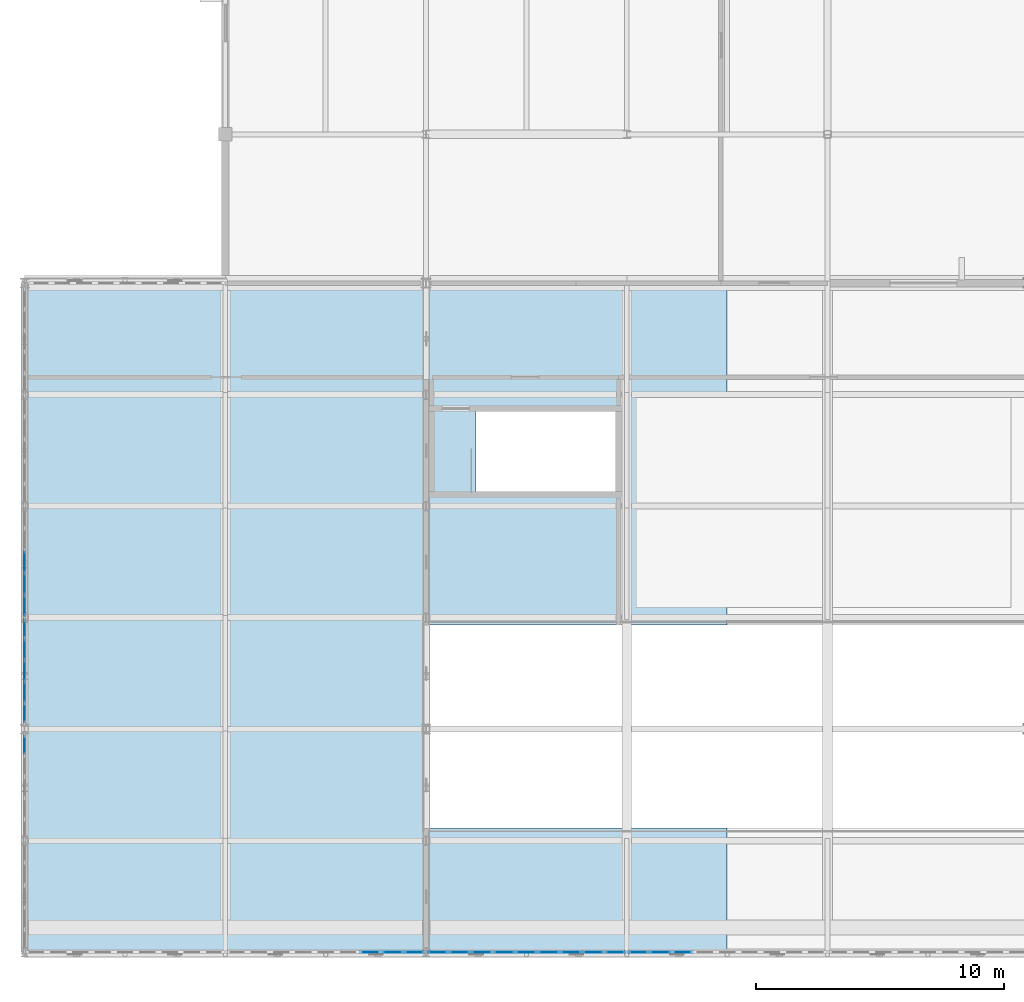
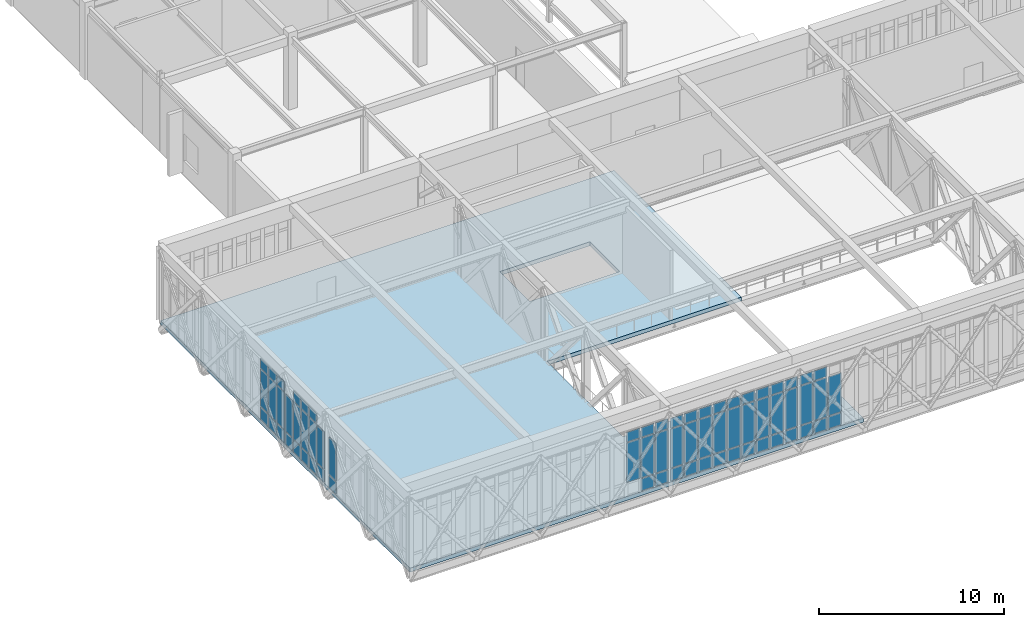
# One storey, part 41 of 70: 67 plates, 1 slab, 6 elements without a shape of their own.
"""IFC4 building model written with IfcOpenShell, lengths in metres."""

from ifc_helpers import new_model, si_unit, direction, frame, origin, origin_2d, place, context, subcontext, project, spatial, polyline, rectangle, outline, extrude, material, layer, layer_set, type_object, element, aggregate, save


model = new_model("IFC4")

# Units and contexts
model_context = context("Model", 3, precision=1e-05, world=origin(), true_north=direction((0.0, 1.0)))
body_context = subcontext(model_context, "Body", "Model", "MODEL_VIEW")
ifc_project = project(units=[si_unit("LENGTHUNIT", "METRE"), si_unit("AREAUNIT", "SQUARE_METRE"), si_unit("VOLUMEUNIT", "CUBIC_METRE"), si_unit("PLANEANGLEUNIT", "RADIAN"), si_unit("MASSUNIT", "GRAM", prefix="KILO")], contexts=[model_context])

# Site, building, storey
site_placement = place(None, origin())
site = spatial("IfcSite", under=ifc_project, at=site_placement, CompositionType="ELEMENT")
building_placement = place(site_placement, origin())
building = spatial("IfcBuilding", under=site, at=building_placement, Name="Tarnveldt Square Police Headquarters", CompositionType="ELEMENT")
storey_placement = place(building_placement, frame((0.0, 0.0, 19.800048828125)))
storey = spatial("IfcBuildingStorey", under=building, at=storey_placement, Name="L04", CompositionType="ELEMENT", Elevation=19.800048828125)

# Curtain wall, plates
ifc_material_1 = material(Name="UL 752 Level III laminated ballistic vision glass", Category="glass")
curtain_wall_type_1 = type_object("IfcCurtainWallType", Name="CW-BL-810x433", PredefinedType="USERDEFINED", material=ifc_material_1)
curtain_wall_1_placement = place(storey_placement, origin())
curtain_wall_1 = element("IfcCurtainWall", 1, at=curtain_wall_1_placement, inside=storey, type_object=curtain_wall_type_1, Name="L04 Curtain Wall CW-L04-041", ObjectType="BALLISTIC CURTAIN WALL", PredefinedType="USERDEFINED")
ifc_layer_1 = layer(ifc_material_1, 0.0380859375)
ifc_layer_set_1 = layer_set([ifc_layer_1], Name="UL 752 Level III laminated ballistic vision glass")
plate_type_1 = type_object("IfcPlateType", Name="CWP-BAL-38", PredefinedType="CURTAIN_PANEL", material=ifc_layer_set_1)
plate_1_placement = place(storey_placement, frame((22.050048828125, 7.0, 0.9375), z_axis=(0.0, 0.0, 1.0), x_axis=(1.0, 0.0, 0.0)))
plate_1 = element("IfcPlate", 2, at=plate_1_placement, type_object=plate_type_1, Name="CW-BL17 panel 7.2", PredefinedType="CURTAIN_PANEL", context=body_context, shape_type="SweptSolid", body=[
    extrude(rectangle(XDim=0.81494140625, YDim=0.0380859375, at=origin_2d()), origin(), (0.0, 0.0, 1.0), 2.6015625),
])
plate_2_placement = place(storey_placement, frame((22.050048828125, 7.0, 3.61376953125), z_axis=(0.0, 0.0, 1.0), x_axis=(1.0, 0.0, 0.0)))
plate_2 = element("IfcPlate", 3, at=plate_2_placement, type_object=plate_type_1, Name="CW-BL17 panel 7.3", PredefinedType="CURTAIN_PANEL", context=body_context, shape_type="SweptSolid", body=[
    extrude(rectangle(XDim=0.81494140625, YDim=0.0380859375, at=origin_2d()), origin(), (0.0, 0.0, 1.0), 0.637451171875),
])
plate_3_placement = place(storey_placement, frame((22.949951171875, 7.0, 0.074951171875), z_axis=(0.0, 0.0, 1.0), x_axis=(1.0, 0.0, 0.0)))
plate_3 = element("IfcPlate", 4, at=plate_3_placement, type_object=plate_type_1, Name="CW-BL17 panel 8.1", PredefinedType="CURTAIN_PANEL", context=body_context, shape_type="SweptSolid", body=[
    extrude(rectangle(XDim=0.81494140625, YDim=0.0380859375, at=origin_2d()), origin(), (0.0, 0.0, 1.0), 0.78759765625),
])
plate_4_placement = place(storey_placement, frame((22.949951171875, 7.0, 0.9375), z_axis=(0.0, 0.0, 1.0), x_axis=(1.0, 0.0, 0.0)))
plate_4 = element("IfcPlate", 5, at=plate_4_placement, type_object=plate_type_1, Name="CW-BL17 panel 8.2", PredefinedType="CURTAIN_PANEL", context=body_context, shape_type="SweptSolid", body=[
    extrude(rectangle(XDim=0.81494140625, YDim=0.0380859375, at=origin_2d()), origin(), (0.0, 0.0, 1.0), 2.6015625),
])
plate_5_placement = place(storey_placement, frame((22.949951171875, 7.0, 3.61376953125), z_axis=(0.0, 0.0, 1.0), x_axis=(1.0, 0.0, 0.0)))
plate_5 = element("IfcPlate", 6, at=plate_5_placement, type_object=plate_type_1, Name="CW-BL17 panel 8.3", PredefinedType="CURTAIN_PANEL", context=body_context, shape_type="SweptSolid", body=[
    extrude(rectangle(XDim=0.81494140625, YDim=0.0380859375, at=origin_2d()), origin(), (0.0, 0.0, 1.0), 0.637451171875),
])
plate_6_placement = place(storey_placement, frame((23.828857421875, 7.0, 0.074951171875), z_axis=(0.0, 0.0, 1.0), x_axis=(1.0, 0.0, 0.0)))
plate_6 = element("IfcPlate", 7, at=plate_6_placement, type_object=plate_type_1, Name="CW-BL17 panel 9.1", PredefinedType="CURTAIN_PANEL", context=body_context, shape_type="SweptSolid", body=[
    extrude(rectangle(XDim=0.7724609375, YDim=0.0380859375, at=origin_2d()), origin(), (0.0, 0.0, 1.0), 0.78759765625),
])
plate_7_placement = place(storey_placement, frame((23.828857421875, 7.0, 0.9375), z_axis=(0.0, 0.0, 1.0), x_axis=(1.0, 0.0, 0.0)))
plate_7 = element("IfcPlate", 8, at=plate_7_placement, type_object=plate_type_1, Name="CW-BL17 panel 9.2", PredefinedType="CURTAIN_PANEL", context=body_context, shape_type="SweptSolid", body=[
    extrude(rectangle(XDim=0.7724609375, YDim=0.0380859375, at=origin_2d()), origin(), (0.0, 0.0, 1.0), 2.6015625),
])
plate_8_placement = place(storey_placement, frame((23.828857421875, 7.0, 3.61376953125), z_axis=(0.0, 0.0, 1.0), x_axis=(1.0, 0.0, 0.0)))
plate_8 = element("IfcPlate", 9, at=plate_8_placement, type_object=plate_type_1, Name="CW-BL17 panel 9.3", PredefinedType="CURTAIN_PANEL", context=body_context, shape_type="SweptSolid", body=[
    extrude(rectangle(XDim=0.7724609375, YDim=0.0380859375, at=origin_2d()), origin(), (0.0, 0.0, 1.0), 0.637451171875),
])
aggregate(curtain_wall_1, [plate_1, plate_2, plate_3, plate_4, plate_5, plate_6, plate_7, plate_8])

curtain_wall_type_2 = type_object("IfcCurtainWallType", Name="CW-BL-810x429", PredefinedType="USERDEFINED", material=ifc_material_1)
curtain_wall_2_placement = place(storey_placement, origin())
curtain_wall_2 = element("IfcCurtainWall", 10, at=curtain_wall_2_placement, inside=storey, type_object=curtain_wall_type_2, Name="L04 Curtain Wall CW-L04-042", ObjectType="BALLISTIC CURTAIN WALL", PredefinedType="USERDEFINED")
plate_9_placement = place(storey_placement, frame((24.771240234375, 7.0, 0.074951171875), z_axis=(0.0, 0.0, 1.0), x_axis=(1.0, 0.0, 0.0)))
plate_9 = element("IfcPlate", 11, at=plate_9_placement, type_object=plate_type_1, Name="CW-BL18 panel 1.1", PredefinedType="CURTAIN_PANEL", context=body_context, shape_type="SweptSolid", body=[
    extrude(rectangle(XDim=0.7724609375, YDim=0.0380859375, at=origin_2d()), origin(), (0.0, 0.0, 1.0), 0.78759765625),
])
plate_10_placement = place(storey_placement, frame((24.771240234375, 7.0, 0.9375), z_axis=(0.0, 0.0, 1.0), x_axis=(1.0, 0.0, 0.0)))
plate_10 = element("IfcPlate", 12, at=plate_10_placement, type_object=plate_type_1, Name="CW-BL18 panel 1.2", PredefinedType="CURTAIN_PANEL", context=body_context, shape_type="SweptSolid", body=[
    extrude(rectangle(XDim=0.7724609375, YDim=0.0380859375, at=origin_2d()), origin(), (0.0, 0.0, 1.0), 2.5634765625),
])
plate_11_placement = place(storey_placement, frame((24.771240234375, 7.0, 3.576171875), z_axis=(0.0, 0.0, 1.0), x_axis=(1.0, 0.0, 0.0)))
plate_11 = element("IfcPlate", 13, at=plate_11_placement, type_object=plate_type_1, Name="CW-BL18 panel 1.3", PredefinedType="CURTAIN_PANEL", context=body_context, shape_type="SweptSolid", body=[
    extrude(rectangle(XDim=0.7724609375, YDim=0.0380859375, at=origin_2d()), origin(), (0.0, 0.0, 1.0), 0.637451171875),
])
plate_12_placement = place(storey_placement, frame((25.64990234375, 7.0, 0.074951171875), z_axis=(0.0, 0.0, 1.0), x_axis=(1.0, 0.0, 0.0)))
plate_12 = element("IfcPlate", 14, at=plate_12_placement, type_object=plate_type_1, Name="CW-BL18 panel 2.1", PredefinedType="CURTAIN_PANEL", context=body_context, shape_type="SweptSolid", body=[
    extrude(rectangle(XDim=0.81494140625, YDim=0.0380859375, at=origin_2d()), origin(), (0.0, 0.0, 1.0), 0.78759765625),
])
plate_13_placement = place(storey_placement, frame((25.64990234375, 7.0, 0.9375), z_axis=(0.0, 0.0, 1.0), x_axis=(1.0, 0.0, 0.0)))
plate_13 = element("IfcPlate", 15, at=plate_13_placement, type_object=plate_type_1, Name="CW-BL18 panel 2.2", PredefinedType="CURTAIN_PANEL", context=body_context, shape_type="SweptSolid", body=[
    extrude(rectangle(XDim=0.81494140625, YDim=0.0380859375, at=origin_2d()), origin(), (0.0, 0.0, 1.0), 2.5634765625),
])
plate_14_placement = place(storey_placement, frame((25.64990234375, 7.0, 3.576171875), z_axis=(0.0, 0.0, 1.0), x_axis=(1.0, 0.0, 0.0)))
plate_14 = element("IfcPlate", 16, at=plate_14_placement, type_object=plate_type_1, Name="CW-BL18 panel 2.3", PredefinedType="CURTAIN_PANEL", context=body_context, shape_type="SweptSolid", body=[
    extrude(rectangle(XDim=0.81494140625, YDim=0.0380859375, at=origin_2d()), origin(), (0.0, 0.0, 1.0), 0.637451171875),
])
plate_15_placement = place(storey_placement, frame((26.550048828125, 7.0, 0.074951171875), z_axis=(0.0, 0.0, 1.0), x_axis=(1.0, 0.0, 0.0)))
plate_15 = element("IfcPlate", 17, at=plate_15_placement, type_object=plate_type_1, Name="CW-BL18 panel 3.1", PredefinedType="CURTAIN_PANEL", context=body_context, shape_type="SweptSolid", body=[
    extrude(rectangle(XDim=0.81494140625, YDim=0.0380859375, at=origin_2d()), origin(), (0.0, 0.0, 1.0), 0.78759765625),
])
plate_16_placement = place(storey_placement, frame((26.550048828125, 7.0, 0.9375), z_axis=(0.0, 0.0, 1.0), x_axis=(1.0, 0.0, 0.0)))
plate_16 = element("IfcPlate", 18, at=plate_16_placement, type_object=plate_type_1, Name="CW-BL18 panel 3.2", PredefinedType="CURTAIN_PANEL", context=body_context, shape_type="SweptSolid", body=[
    extrude(rectangle(XDim=0.81494140625, YDim=0.0380859375, at=origin_2d()), origin(), (0.0, 0.0, 1.0), 2.5634765625),
])
plate_17_placement = place(storey_placement, frame((26.550048828125, 7.0, 3.576171875), z_axis=(0.0, 0.0, 1.0), x_axis=(1.0, 0.0, 0.0)))
plate_17 = element("IfcPlate", 19, at=plate_17_placement, type_object=plate_type_1, Name="CW-BL18 panel 3.3", PredefinedType="CURTAIN_PANEL", context=body_context, shape_type="SweptSolid", body=[
    extrude(rectangle(XDim=0.81494140625, YDim=0.0380859375, at=origin_2d()), origin(), (0.0, 0.0, 1.0), 0.637451171875),
])
plate_18_placement = place(storey_placement, frame((27.449951171875, 7.0, 0.074951171875), z_axis=(0.0, 0.0, 1.0), x_axis=(1.0, 0.0, 0.0)))
plate_18 = element("IfcPlate", 20, at=plate_18_placement, type_object=plate_type_1, Name="CW-BL18 panel 4.1", PredefinedType="CURTAIN_PANEL", context=body_context, shape_type="SweptSolid", body=[
    extrude(rectangle(XDim=0.81494140625, YDim=0.0380859375, at=origin_2d()), origin(), (0.0, 0.0, 1.0), 0.78759765625),
])
plate_19_placement = place(storey_placement, frame((27.449951171875, 7.0, 0.9375), z_axis=(0.0, 0.0, 1.0), x_axis=(1.0, 0.0, 0.0)))
plate_19 = element("IfcPlate", 21, at=plate_19_placement, type_object=plate_type_1, Name="CW-BL18 panel 4.2", PredefinedType="CURTAIN_PANEL", context=body_context, shape_type="SweptSolid", body=[
    extrude(rectangle(XDim=0.81494140625, YDim=0.0380859375, at=origin_2d()), origin(), (0.0, 0.0, 1.0), 2.5634765625),
])
plate_20_placement = place(storey_placement, frame((27.449951171875, 7.0, 3.576171875), z_axis=(0.0, 0.0, 1.0), x_axis=(1.0, 0.0, 0.0)))
plate_20 = element("IfcPlate", 22, at=plate_20_placement, type_object=plate_type_1, Name="CW-BL18 panel 4.3", PredefinedType="CURTAIN_PANEL", context=body_context, shape_type="SweptSolid", body=[
    extrude(rectangle(XDim=0.81494140625, YDim=0.0380859375, at=origin_2d()), origin(), (0.0, 0.0, 1.0), 0.637451171875),
])
plate_21_placement = place(storey_placement, frame((28.35009765625, 7.0, 0.074951171875), z_axis=(0.0, 0.0, 1.0), x_axis=(1.0, 0.0, 0.0)))
plate_21 = element("IfcPlate", 23, at=plate_21_placement, type_object=plate_type_1, Name="CW-BL18 panel 5.1", PredefinedType="CURTAIN_PANEL", context=body_context, shape_type="SweptSolid", body=[
    extrude(rectangle(XDim=0.81494140625, YDim=0.0380859375, at=origin_2d()), origin(), (0.0, 0.0, 1.0), 0.78759765625),
])
plate_22_placement = place(storey_placement, frame((28.35009765625, 7.0, 0.9375), z_axis=(0.0, 0.0, 1.0), x_axis=(1.0, 0.0, 0.0)))
plate_22 = element("IfcPlate", 24, at=plate_22_placement, type_object=plate_type_1, Name="CW-BL18 panel 5.2", PredefinedType="CURTAIN_PANEL", context=body_context, shape_type="SweptSolid", body=[
    extrude(rectangle(XDim=0.81494140625, YDim=0.0380859375, at=origin_2d()), origin(), (0.0, 0.0, 1.0), 2.5634765625),
])
plate_23_placement = place(storey_placement, frame((28.35009765625, 7.0, 3.576171875), z_axis=(0.0, 0.0, 1.0), x_axis=(1.0, 0.0, 0.0)))
plate_23 = element("IfcPlate", 25, at=plate_23_placement, type_object=plate_type_1, Name="CW-BL18 panel 5.3", PredefinedType="CURTAIN_PANEL", context=body_context, shape_type="SweptSolid", body=[
    extrude(rectangle(XDim=0.81494140625, YDim=0.0380859375, at=origin_2d()), origin(), (0.0, 0.0, 1.0), 0.637451171875),
])
plate_24_placement = place(storey_placement, frame((29.25, 7.0, 0.074951171875), z_axis=(0.0, 0.0, 1.0), x_axis=(1.0, 0.0, 0.0)))
plate_24 = element("IfcPlate", 26, at=plate_24_placement, type_object=plate_type_1, Name="CW-BL18 panel 6.1", PredefinedType="CURTAIN_PANEL", context=body_context, shape_type="SweptSolid", body=[
    extrude(rectangle(XDim=0.81494140625, YDim=0.0380859375, at=origin_2d()), origin(), (0.0, 0.0, 1.0), 0.78759765625),
])
plate_25_placement = place(storey_placement, frame((29.25, 7.0, 0.9375), z_axis=(0.0, 0.0, 1.0), x_axis=(1.0, 0.0, 0.0)))
plate_25 = element("IfcPlate", 27, at=plate_25_placement, type_object=plate_type_1, Name="CW-BL18 panel 6.2", PredefinedType="CURTAIN_PANEL", context=body_context, shape_type="SweptSolid", body=[
    extrude(rectangle(XDim=0.81494140625, YDim=0.0380859375, at=origin_2d()), origin(), (0.0, 0.0, 1.0), 2.5634765625),
])
plate_26_placement = place(storey_placement, frame((29.25, 7.0, 3.576171875), z_axis=(0.0, 0.0, 1.0), x_axis=(1.0, 0.0, 0.0)))
plate_26 = element("IfcPlate", 28, at=plate_26_placement, type_object=plate_type_1, Name="CW-BL18 panel 6.3", PredefinedType="CURTAIN_PANEL", context=body_context, shape_type="SweptSolid", body=[
    extrude(rectangle(XDim=0.81494140625, YDim=0.0380859375, at=origin_2d()), origin(), (0.0, 0.0, 1.0), 0.637451171875),
])
plate_27_placement = place(storey_placement, frame((30.14990234375, 7.0, 0.074951171875), z_axis=(0.0, 0.0, 1.0), x_axis=(1.0, 0.0, 0.0)))
plate_27 = element("IfcPlate", 29, at=plate_27_placement, type_object=plate_type_1, Name="CW-BL18 panel 7.1", PredefinedType="CURTAIN_PANEL", context=body_context, shape_type="SweptSolid", body=[
    extrude(rectangle(XDim=0.81494140625, YDim=0.0380859375, at=origin_2d()), origin(), (0.0, 0.0, 1.0), 0.78759765625),
])
plate_28_placement = place(storey_placement, frame((30.14990234375, 7.0, 0.9375), z_axis=(0.0, 0.0, 1.0), x_axis=(1.0, 0.0, 0.0)))
plate_28 = element("IfcPlate", 30, at=plate_28_placement, type_object=plate_type_1, Name="CW-BL18 panel 7.2", PredefinedType="CURTAIN_PANEL", context=body_context, shape_type="SweptSolid", body=[
    extrude(rectangle(XDim=0.81494140625, YDim=0.0380859375, at=origin_2d()), origin(), (0.0, 0.0, 1.0), 2.5634765625),
])
plate_29_placement = place(storey_placement, frame((30.14990234375, 7.0, 3.576171875), z_axis=(0.0, 0.0, 1.0), x_axis=(1.0, 0.0, 0.0)))
plate_29 = element("IfcPlate", 31, at=plate_29_placement, type_object=plate_type_1, Name="CW-BL18 panel 7.3", PredefinedType="CURTAIN_PANEL", context=body_context, shape_type="SweptSolid", body=[
    extrude(rectangle(XDim=0.81494140625, YDim=0.0380859375, at=origin_2d()), origin(), (0.0, 0.0, 1.0), 0.637451171875),
])
plate_30_placement = place(storey_placement, frame((31.050048828125, 7.0, 0.074951171875), z_axis=(0.0, 0.0, 1.0), x_axis=(1.0, 0.0, 0.0)))
plate_30 = element("IfcPlate", 32, at=plate_30_placement, type_object=plate_type_1, Name="CW-BL18 panel 8.1", PredefinedType="CURTAIN_PANEL", context=body_context, shape_type="SweptSolid", body=[
    extrude(rectangle(XDim=0.81494140625, YDim=0.0380859375, at=origin_2d()), origin(), (0.0, 0.0, 1.0), 0.78759765625),
])
plate_31_placement = place(storey_placement, frame((31.050048828125, 7.0, 0.9375), z_axis=(0.0, 0.0, 1.0), x_axis=(1.0, 0.0, 0.0)))
plate_31 = element("IfcPlate", 33, at=plate_31_placement, type_object=plate_type_1, Name="CW-BL18 panel 8.2", PredefinedType="CURTAIN_PANEL", context=body_context, shape_type="SweptSolid", body=[
    extrude(rectangle(XDim=0.81494140625, YDim=0.0380859375, at=origin_2d()), origin(), (0.0, 0.0, 1.0), 2.5634765625),
])
plate_32_placement = place(storey_placement, frame((31.050048828125, 7.0, 3.576171875), z_axis=(0.0, 0.0, 1.0), x_axis=(1.0, 0.0, 0.0)))
plate_32 = element("IfcPlate", 34, at=plate_32_placement, type_object=plate_type_1, Name="CW-BL18 panel 8.3", PredefinedType="CURTAIN_PANEL", context=body_context, shape_type="SweptSolid", body=[
    extrude(rectangle(XDim=0.81494140625, YDim=0.0380859375, at=origin_2d()), origin(), (0.0, 0.0, 1.0), 0.637451171875),
])
plate_33_placement = place(storey_placement, frame((31.9287109375, 7.0, 0.074951171875), z_axis=(0.0, 0.0, 1.0), x_axis=(1.0, 0.0, 0.0)))
plate_33 = element("IfcPlate", 35, at=plate_33_placement, type_object=plate_type_1, Name="CW-BL18 panel 9.1", PredefinedType="CURTAIN_PANEL", context=body_context, shape_type="SweptSolid", body=[
    extrude(rectangle(XDim=0.7724609375, YDim=0.0380859375, at=origin_2d()), origin(), (0.0, 0.0, 1.0), 0.78759765625),
])
plate_34_placement = place(storey_placement, frame((31.9287109375, 7.0, 0.9375), z_axis=(0.0, 0.0, 1.0), x_axis=(1.0, 0.0, 0.0)))
plate_34 = element("IfcPlate", 36, at=plate_34_placement, type_object=plate_type_1, Name="CW-BL18 panel 9.2", PredefinedType="CURTAIN_PANEL", context=body_context, shape_type="SweptSolid", body=[
    extrude(rectangle(XDim=0.7724609375, YDim=0.0380859375, at=origin_2d()), origin(), (0.0, 0.0, 1.0), 2.5634765625),
])
plate_35_placement = place(storey_placement, frame((31.9287109375, 7.0, 3.576171875), z_axis=(0.0, 0.0, 1.0), x_axis=(1.0, 0.0, 0.0)))
plate_35 = element("IfcPlate", 37, at=plate_35_placement, type_object=plate_type_1, Name="CW-BL18 panel 9.3", PredefinedType="CURTAIN_PANEL", context=body_context, shape_type="SweptSolid", body=[
    extrude(rectangle(XDim=0.7724609375, YDim=0.0380859375, at=origin_2d()), origin(), (0.0, 0.0, 1.0), 0.637451171875),
])
aggregate(curtain_wall_2, [plate_9, plate_10, plate_11, plate_12, plate_13, plate_14, plate_15, plate_16, plate_17, plate_18, plate_19, plate_20, plate_21, plate_22, plate_23, plate_24, plate_25, plate_26, plate_27, plate_28, plate_29, plate_30, plate_31, plate_32, plate_33, plate_34, plate_35])

curtain_wall_3_placement = place(storey_placement, origin())
curtain_wall_3 = element("IfcCurtainWall", 38, at=curtain_wall_3_placement, inside=storey, type_object=curtain_wall_type_2, Name="L04 Curtain Wall CW-L04-043", ObjectType="BALLISTIC CURTAIN WALL", PredefinedType="USERDEFINED")
plate_36_placement = place(storey_placement, frame((32.871337890625, 7.0, 0.074951171875), z_axis=(0.0, 0.0, 1.0), x_axis=(1.0, 0.0, 0.0)))
plate_36 = element("IfcPlate", 39, at=plate_36_placement, type_object=plate_type_1, Name="CW-BL18 panel 1.1", PredefinedType="CURTAIN_PANEL", context=body_context, shape_type="SweptSolid", body=[
    extrude(rectangle(XDim=0.7724609375, YDim=0.0380859375, at=origin_2d()), origin(), (0.0, 0.0, 1.0), 0.78759765625),
])
plate_37_placement = place(storey_placement, frame((32.871337890625, 7.0, 0.9375), z_axis=(0.0, 0.0, 1.0), x_axis=(1.0, 0.0, 0.0)))
plate_37 = element("IfcPlate", 40, at=plate_37_placement, type_object=plate_type_1, Name="CW-BL18 panel 1.2", PredefinedType="CURTAIN_PANEL", context=body_context, shape_type="SweptSolid", body=[
    extrude(rectangle(XDim=0.7724609375, YDim=0.0380859375, at=origin_2d()), origin(), (0.0, 0.0, 1.0), 2.5634765625),
])
plate_38_placement = place(storey_placement, frame((32.871337890625, 7.0, 3.576171875), z_axis=(0.0, 0.0, 1.0), x_axis=(1.0, 0.0, 0.0)))
plate_38 = element("IfcPlate", 41, at=plate_38_placement, type_object=plate_type_1, Name="CW-BL18 panel 1.3", PredefinedType="CURTAIN_PANEL", context=body_context, shape_type="SweptSolid", body=[
    extrude(rectangle(XDim=0.7724609375, YDim=0.0380859375, at=origin_2d()), origin(), (0.0, 0.0, 1.0), 0.637451171875),
])
plate_39_placement = place(storey_placement, frame((33.75, 7.0, 0.074951171875), z_axis=(0.0, 0.0, 1.0), x_axis=(1.0, 0.0, 0.0)))
plate_39 = element("IfcPlate", 42, at=plate_39_placement, type_object=plate_type_1, Name="CW-BL18 panel 2.1", PredefinedType="CURTAIN_PANEL", context=body_context, shape_type="SweptSolid", body=[
    extrude(rectangle(XDim=0.81494140625, YDim=0.0380859375, at=origin_2d()), origin(), (0.0, 0.0, 1.0), 0.78759765625),
])
plate_40_placement = place(storey_placement, frame((33.75, 7.0, 0.9375), z_axis=(0.0, 0.0, 1.0), x_axis=(1.0, 0.0, 0.0)))
plate_40 = element("IfcPlate", 43, at=plate_40_placement, type_object=plate_type_1, Name="CW-BL18 panel 2.2", PredefinedType="CURTAIN_PANEL", context=body_context, shape_type="SweptSolid", body=[
    extrude(rectangle(XDim=0.81494140625, YDim=0.0380859375, at=origin_2d()), origin(), (0.0, 0.0, 1.0), 2.5634765625),
])
plate_41_placement = place(storey_placement, frame((33.75, 7.0, 3.576171875), z_axis=(0.0, 0.0, 1.0), x_axis=(1.0, 0.0, 0.0)))
plate_41 = element("IfcPlate", 44, at=plate_41_placement, type_object=plate_type_1, Name="CW-BL18 panel 2.3", PredefinedType="CURTAIN_PANEL", context=body_context, shape_type="SweptSolid", body=[
    extrude(rectangle(XDim=0.81494140625, YDim=0.0380859375, at=origin_2d()), origin(), (0.0, 0.0, 1.0), 0.637451171875),
])
plate_42_placement = place(storey_placement, frame((34.64990234375, 7.0, 0.074951171875), z_axis=(0.0, 0.0, 1.0), x_axis=(1.0, 0.0, 0.0)))
plate_42 = element("IfcPlate", 45, at=plate_42_placement, type_object=plate_type_1, Name="CW-BL18 panel 3.1", PredefinedType="CURTAIN_PANEL", context=body_context, shape_type="SweptSolid", body=[
    extrude(rectangle(XDim=0.81494140625, YDim=0.0380859375, at=origin_2d()), origin(), (0.0, 0.0, 1.0), 0.78759765625),
])
plate_43_placement = place(storey_placement, frame((34.64990234375, 7.0, 0.9375), z_axis=(0.0, 0.0, 1.0), x_axis=(1.0, 0.0, 0.0)))
plate_43 = element("IfcPlate", 46, at=plate_43_placement, type_object=plate_type_1, Name="CW-BL18 panel 3.2", PredefinedType="CURTAIN_PANEL", context=body_context, shape_type="SweptSolid", body=[
    extrude(rectangle(XDim=0.81494140625, YDim=0.0380859375, at=origin_2d()), origin(), (0.0, 0.0, 1.0), 2.5634765625),
])
aggregate(curtain_wall_3, [plate_36, plate_37, plate_38, plate_39, plate_40, plate_41, plate_42, plate_43])

ifc_material_2 = material(Name="Triple-glazed low-e laminated vision glass", Category="glass")
curtain_wall_type_3 = type_object("IfcCurtainWallType", Name="CW-LT-430x417", PredefinedType="USERDEFINED", material=ifc_material_2)
curtain_wall_4_placement = place(storey_placement, origin())
curtain_wall_4 = element("IfcCurtainWall", 47, at=curtain_wall_4_placement, inside=storey, type_object=curtain_wall_type_3, Name="L04 Curtain Wall CW-L04-051", ObjectType="GLAZED CURTAIN WALL", PredefinedType="USERDEFINED")
ifc_layer_2 = layer(ifc_material_2, 0.028076171875)
ifc_layer_set_2 = layer_set([ifc_layer_2], Name="Triple-glazed low-e laminated vision glass")
plate_type_2 = type_object("IfcPlateType", Name="CWP-VIS-28", PredefinedType="CURTAIN_PANEL", material=ifc_layer_set_2)
plate_44_placement = place(storey_placement, frame((8.10009765625, 15.349365234375, 0.074951171875), z_axis=(0.0, 0.0, 1.0), x_axis=(0.0, 1.0, 0.0)))
plate_44 = element("IfcPlate", 48, at=plate_44_placement, type_object=plate_type_2, Name="CW-LT21 panel 5.1", PredefinedType="CURTAIN_PANEL", context=body_context, shape_type="SweptSolid", body=[
    extrude(rectangle(XDim=0.7470703125, YDim=0.028076171875, at=origin_2d()), origin(), (0.0, 0.0, 1.0), 0.78759765625),
])
plate_45_placement = place(storey_placement, frame((8.10009765625, 15.349365234375, 0.9375), z_axis=(0.0, 0.0, 1.0), x_axis=(0.0, 1.0, 0.0)))
plate_45 = element("IfcPlate", 49, at=plate_45_placement, type_object=plate_type_2, Name="CW-LT21 panel 5.2", PredefinedType="CURTAIN_PANEL", context=body_context, shape_type="SweptSolid", body=[
    extrude(rectangle(XDim=0.7470703125, YDim=0.028076171875, at=origin_2d()), origin(), (0.0, 0.0, 1.0), 2.447998046875),
])
aggregate(curtain_wall_4, [plate_44, plate_45])

curtain_wall_5_placement = place(storey_placement, origin())
curtain_wall_5 = element("IfcCurtainWall", 50, at=curtain_wall_5_placement, inside=storey, type_object=curtain_wall_type_3, Name="L04 Curtain Wall CW-L04-052", ObjectType="GLAZED CURTAIN WALL", PredefinedType="USERDEFINED")
plate_46_placement = place(storey_placement, frame((8.10009765625, 16.650634765625, 0.074951171875), z_axis=(0.0, 0.0, 1.0), x_axis=(0.0, 1.0, 0.0)))
plate_46 = element("IfcPlate", 51, at=plate_46_placement, type_object=plate_type_2, Name="CW-LT21 panel 1.1", PredefinedType="CURTAIN_PANEL", context=body_context, shape_type="SweptSolid", body=[
    extrude(rectangle(XDim=0.7470703125, YDim=0.028076171875, at=origin_2d()), origin(), (0.0, 0.0, 1.0), 0.78759765625),
])
plate_47_placement = place(storey_placement, frame((8.10009765625, 16.650634765625, 0.9375), z_axis=(0.0, 0.0, 1.0), x_axis=(0.0, 1.0, 0.0)))
plate_47 = element("IfcPlate", 52, at=plate_47_placement, type_object=plate_type_2, Name="CW-LT21 panel 1.2", PredefinedType="CURTAIN_PANEL", context=body_context, shape_type="SweptSolid", body=[
    extrude(rectangle(XDim=0.7470703125, YDim=0.028076171875, at=origin_2d()), origin(), (0.0, 0.0, 1.0), 2.447998046875),
])
plate_48_placement = place(storey_placement, frame((8.10009765625, 17.491455078125, 0.074951171875), z_axis=(0.0, 0.0, 1.0), x_axis=(0.0, 1.0, 0.0)))
plate_48 = element("IfcPlate", 53, at=plate_48_placement, type_object=plate_type_2, Name="CW-LT21 panel 2.1", PredefinedType="CURTAIN_PANEL", context=body_context, shape_type="SweptSolid", body=[
    extrude(rectangle(XDim=0.78466796875, YDim=0.028076171875, at=origin_2d()), origin(), (0.0, 0.0, 1.0), 0.78759765625),
])
plate_49_placement = place(storey_placement, frame((8.10009765625, 17.491455078125, 0.9375), z_axis=(0.0, 0.0, 1.0), x_axis=(0.0, 1.0, 0.0)))
plate_49 = element("IfcPlate", 54, at=plate_49_placement, type_object=plate_type_2, Name="CW-LT21 panel 2.2", PredefinedType="CURTAIN_PANEL", context=body_context, shape_type="SweptSolid", body=[
    extrude(rectangle(XDim=0.78466796875, YDim=0.028076171875, at=origin_2d()), origin(), (0.0, 0.0, 1.0), 2.447998046875),
])
plate_50_placement = place(storey_placement, frame((8.10009765625, 17.491455078125, 3.46044921875), z_axis=(0.0, 0.0, 1.0), x_axis=(0.0, 1.0, 0.0)))
plate_50 = element("IfcPlate", 55, at=plate_50_placement, type_object=plate_type_2, Name="CW-LT21 panel 2.3", PredefinedType="CURTAIN_PANEL", context=body_context, shape_type="SweptSolid", body=[
    extrude(rectangle(XDim=0.78466796875, YDim=0.028076171875, at=origin_2d()), origin(), (0.0, 0.0, 1.0), 0.637451171875),
])
plate_51_placement = place(storey_placement, frame((8.10009765625, 18.35107421875, 0.074951171875), z_axis=(0.0, 0.0, 1.0), x_axis=(0.0, 1.0, 0.0)))
plate_51 = element("IfcPlate", 56, at=plate_51_placement, type_object=plate_type_2, Name="CW-LT21 panel 3.1", PredefinedType="CURTAIN_PANEL", context=body_context, shape_type="SweptSolid", body=[
    extrude(rectangle(XDim=0.78466796875, YDim=0.028076171875, at=origin_2d()), origin(), (0.0, 0.0, 1.0), 0.78759765625),
])
plate_52_placement = place(storey_placement, frame((8.10009765625, 18.35107421875, 0.9375), z_axis=(0.0, 0.0, 1.0), x_axis=(0.0, 1.0, 0.0)))
plate_52 = element("IfcPlate", 57, at=plate_52_placement, type_object=plate_type_2, Name="CW-LT21 panel 3.2", PredefinedType="CURTAIN_PANEL", context=body_context, shape_type="SweptSolid", body=[
    extrude(rectangle(XDim=0.78466796875, YDim=0.028076171875, at=origin_2d()), origin(), (0.0, 0.0, 1.0), 2.447998046875),
])
plate_53_placement = place(storey_placement, frame((8.10009765625, 18.35107421875, 3.46044921875), z_axis=(0.0, 0.0, 1.0), x_axis=(0.0, 1.0, 0.0)))
plate_53 = element("IfcPlate", 58, at=plate_53_placement, type_object=plate_type_2, Name="CW-LT21 panel 3.3", PredefinedType="CURTAIN_PANEL", context=body_context, shape_type="SweptSolid", body=[
    extrude(rectangle(XDim=0.78466796875, YDim=0.028076171875, at=origin_2d()), origin(), (0.0, 0.0, 1.0), 0.637451171875),
])
plate_54_placement = place(storey_placement, frame((8.10009765625, 19.210693359375, 0.074951171875), z_axis=(0.0, 0.0, 1.0), x_axis=(0.0, 1.0, 0.0)))
plate_54 = element("IfcPlate", 59, at=plate_54_placement, type_object=plate_type_2, Name="CW-LT21 panel 4.1", PredefinedType="CURTAIN_PANEL", context=body_context, shape_type="SweptSolid", body=[
    extrude(rectangle(XDim=0.78466796875, YDim=0.028076171875, at=origin_2d()), origin(), (0.0, 0.0, 1.0), 0.78759765625),
])
plate_55_placement = place(storey_placement, frame((8.10009765625, 19.210693359375, 0.9375), z_axis=(0.0, 0.0, 1.0), x_axis=(0.0, 1.0, 0.0)))
plate_55 = element("IfcPlate", 60, at=plate_55_placement, type_object=plate_type_2, Name="CW-LT21 panel 4.2", PredefinedType="CURTAIN_PANEL", context=body_context, shape_type="SweptSolid", body=[
    extrude(rectangle(XDim=0.78466796875, YDim=0.028076171875, at=origin_2d()), origin(), (0.0, 0.0, 1.0), 2.447998046875),
])
plate_56_placement = place(storey_placement, frame((8.10009765625, 19.210693359375, 3.46044921875), z_axis=(0.0, 0.0, 1.0), x_axis=(0.0, 1.0, 0.0)))
plate_56 = element("IfcPlate", 61, at=plate_56_placement, type_object=plate_type_2, Name="CW-LT21 panel 4.3", PredefinedType="CURTAIN_PANEL", context=body_context, shape_type="SweptSolid", body=[
    extrude(rectangle(XDim=0.78466796875, YDim=0.028076171875, at=origin_2d()), origin(), (0.0, 0.0, 1.0), 0.637451171875),
])
plate_57_placement = place(storey_placement, frame((8.10009765625, 20.051513671875, 0.074951171875), z_axis=(0.0, 0.0, 1.0), x_axis=(0.0, 1.0, 0.0)))
plate_57 = element("IfcPlate", 62, at=plate_57_placement, type_object=plate_type_2, Name="CW-LT21 panel 5.1", PredefinedType="CURTAIN_PANEL", context=body_context, shape_type="SweptSolid", body=[
    extrude(rectangle(XDim=0.7470703125, YDim=0.028076171875, at=origin_2d()), origin(), (0.0, 0.0, 1.0), 0.78759765625),
])
plate_58_placement = place(storey_placement, frame((8.10009765625, 20.051513671875, 0.9375), z_axis=(0.0, 0.0, 1.0), x_axis=(0.0, 1.0, 0.0)))
plate_58 = element("IfcPlate", 63, at=plate_58_placement, type_object=plate_type_2, Name="CW-LT21 panel 5.2", PredefinedType="CURTAIN_PANEL", context=body_context, shape_type="SweptSolid", body=[
    extrude(rectangle(XDim=0.7470703125, YDim=0.028076171875, at=origin_2d()), origin(), (0.0, 0.0, 1.0), 2.447998046875),
])
aggregate(curtain_wall_5, [plate_46, plate_47, plate_48, plate_49, plate_50, plate_51, plate_52, plate_53, plate_54, plate_55, plate_56, plate_57, plate_58])

curtain_wall_type_4 = type_object("IfcCurtainWallType", Name="CW-LT-450x417", PredefinedType="USERDEFINED", material=ifc_material_2)
curtain_wall_6_placement = place(storey_placement, origin())
curtain_wall_6 = element("IfcCurtainWall", 64, at=curtain_wall_6_placement, inside=storey, type_object=curtain_wall_type_4, Name="L04 Curtain Wall CW-L04-053", ObjectType="GLAZED CURTAIN WALL", PredefinedType="USERDEFINED")
plate_59_placement = place(storey_placement, frame((8.10009765625, 20.96875, 0.074951171875), z_axis=(0.0, 0.0, 1.0), x_axis=(0.0, 1.0, 0.0)))
plate_59 = element("IfcPlate", 65, at=plate_59_placement, type_object=plate_type_2, Name="CW-LT22 panel 1.1", PredefinedType="CURTAIN_PANEL", context=body_context, shape_type="SweptSolid", body=[
    extrude(rectangle(XDim=0.78759765625, YDim=0.028076171875, at=origin_2d()), origin(), (0.0, 0.0, 1.0), 0.78759765625),
])
plate_60_placement = place(storey_placement, frame((8.10009765625, 20.96875, 0.9375), z_axis=(0.0, 0.0, 1.0), x_axis=(0.0, 1.0, 0.0)))
plate_60 = element("IfcPlate", 66, at=plate_60_placement, type_object=plate_type_2, Name="CW-LT22 panel 1.2", PredefinedType="CURTAIN_PANEL", context=body_context, shape_type="SweptSolid", body=[
    extrude(rectangle(XDim=0.78759765625, YDim=0.028076171875, at=origin_2d()), origin(), (0.0, 0.0, 1.0), 2.447998046875),
])
plate_61_placement = place(storey_placement, frame((8.10009765625, 20.96875, 3.46044921875), z_axis=(0.0, 0.0, 1.0), x_axis=(0.0, 1.0, 0.0)))
plate_61 = element("IfcPlate", 67, at=plate_61_placement, type_object=plate_type_2, Name="CW-LT22 panel 1.3", PredefinedType="CURTAIN_PANEL", context=body_context, shape_type="SweptSolid", body=[
    extrude(rectangle(XDim=0.78759765625, YDim=0.028076171875, at=origin_2d()), origin(), (0.0, 0.0, 1.0), 0.637451171875),
])
plate_62_placement = place(storey_placement, frame((8.10009765625, 21.85009765625, 0.074951171875), z_axis=(0.0, 0.0, 1.0), x_axis=(0.0, 1.0, 0.0)))
plate_62 = element("IfcPlate", 68, at=plate_62_placement, type_object=plate_type_2, Name="CW-LT22 panel 2.1", PredefinedType="CURTAIN_PANEL", context=body_context, shape_type="SweptSolid", body=[
    extrude(rectangle(XDim=0.824951171875, YDim=0.028076171875, at=origin_2d()), origin(), (0.0, 0.0, 1.0), 0.78759765625),
])
plate_63_placement = place(storey_placement, frame((8.10009765625, 21.85009765625, 0.9375), z_axis=(0.0, 0.0, 1.0), x_axis=(0.0, 1.0, 0.0)))
plate_63 = element("IfcPlate", 69, at=plate_63_placement, type_object=plate_type_2, Name="CW-LT22 panel 2.2", PredefinedType="CURTAIN_PANEL", context=body_context, shape_type="SweptSolid", body=[
    extrude(rectangle(XDim=0.824951171875, YDim=0.028076171875, at=origin_2d()), origin(), (0.0, 0.0, 1.0), 2.447998046875),
])
plate_64_placement = place(storey_placement, frame((8.10009765625, 21.85009765625, 3.46044921875), z_axis=(0.0, 0.0, 1.0), x_axis=(0.0, 1.0, 0.0)))
plate_64 = element("IfcPlate", 70, at=plate_64_placement, type_object=plate_type_2, Name="CW-LT22 panel 2.3", PredefinedType="CURTAIN_PANEL", context=body_context, shape_type="SweptSolid", body=[
    extrude(rectangle(XDim=0.824951171875, YDim=0.028076171875, at=origin_2d()), origin(), (0.0, 0.0, 1.0), 0.637451171875),
])
plate_65_placement = place(storey_placement, frame((8.10009765625, 22.75, 0.074951171875), z_axis=(0.0, 0.0, 1.0), x_axis=(0.0, 1.0, 0.0)))
plate_65 = element("IfcPlate", 71, at=plate_65_placement, type_object=plate_type_2, Name="CW-LT22 panel 3.1", PredefinedType="CURTAIN_PANEL", context=body_context, shape_type="SweptSolid", body=[
    extrude(rectangle(XDim=0.824951171875, YDim=0.028076171875, at=origin_2d()), origin(), (0.0, 0.0, 1.0), 0.78759765625),
])
plate_66_placement = place(storey_placement, frame((8.10009765625, 22.75, 0.9375), z_axis=(0.0, 0.0, 1.0), x_axis=(0.0, 1.0, 0.0)))
plate_66 = element("IfcPlate", 72, at=plate_66_placement, type_object=plate_type_2, Name="CW-LT22 panel 3.2", PredefinedType="CURTAIN_PANEL", context=body_context, shape_type="SweptSolid", body=[
    extrude(rectangle(XDim=0.824951171875, YDim=0.028076171875, at=origin_2d()), origin(), (0.0, 0.0, 1.0), 2.447998046875),
])
plate_67_placement = place(storey_placement, frame((8.10009765625, 22.75, 3.46044921875), z_axis=(0.0, 0.0, 1.0), x_axis=(0.0, 1.0, 0.0)))
plate_67 = element("IfcPlate", 73, at=plate_67_placement, type_object=plate_type_2, Name="CW-LT22 panel 3.3", PredefinedType="CURTAIN_PANEL", context=body_context, shape_type="SweptSolid", body=[
    extrude(rectangle(XDim=0.824951171875, YDim=0.028076171875, at=origin_2d()), origin(), (0.0, 0.0, 1.0), 0.637451171875),
])
aggregate(curtain_wall_6, [plate_59, plate_60, plate_61, plate_62, plate_63, plate_64, plate_65, plate_66, plate_67])

# Slab
ifc_material_3 = material(Name="Concrete 40 MPa", Category="concrete")
ifc_layer_3 = layer(ifc_material_3, 0.260009765625)
ifc_layer_set_3 = layer_set([ifc_layer_3], Name="Concrete 40 MPa")
slab_type = type_object("IfcSlabType", Name="SL-MID-260", PredefinedType="FLOOR", material=ifc_layer_set_3)
slab_placement = place(storey_placement, frame((0.0, 0.0, -0.260009765625)))
element("IfcSlab", 74, at=slab_placement, inside=storey, type_object=slab_type, Name="L04 Structural Floor Slab L04-V2-1", PredefinedType="FLOOR", context=body_context, shape_type="SweptSolid", body=[
    extrude(outline(polyline([(36.449951171875, 34.0), (36.449951171875, 20.199951171875), (24.300048828125, 20.199951171875), (24.300048828125, 12.0), (36.449951171875, 12.0), (36.449951171875, 7.0), (8.10009765625, 7.0), (8.10009765625, 34.0), (36.449951171875, 34.0)]), holes=[polyline([(26.31005859375, 25.580078125), (31.949951171875, 25.580078125), (31.949951171875, 28.820068359375), (26.31005859375, 28.820068359375), (26.31005859375, 25.580078125)])]), origin(), (0.0, 0.0, 1.0), 0.260009765625),
])

save(model, "model.ifc")
